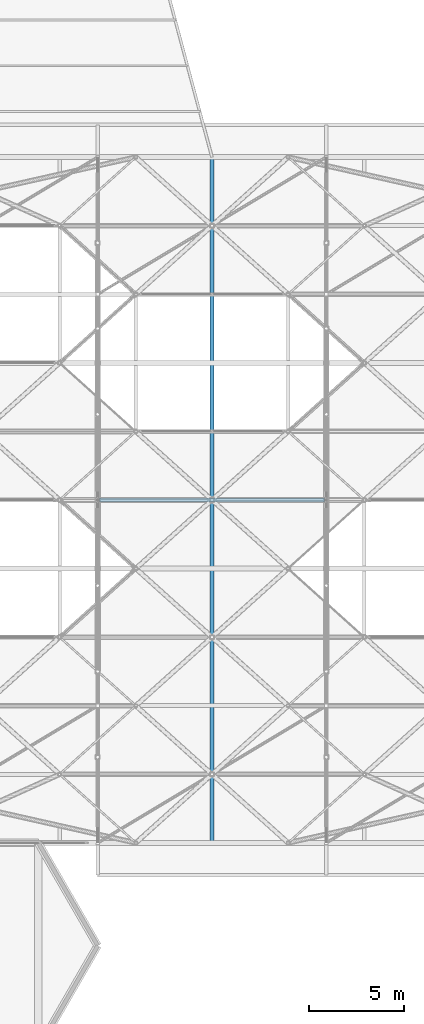
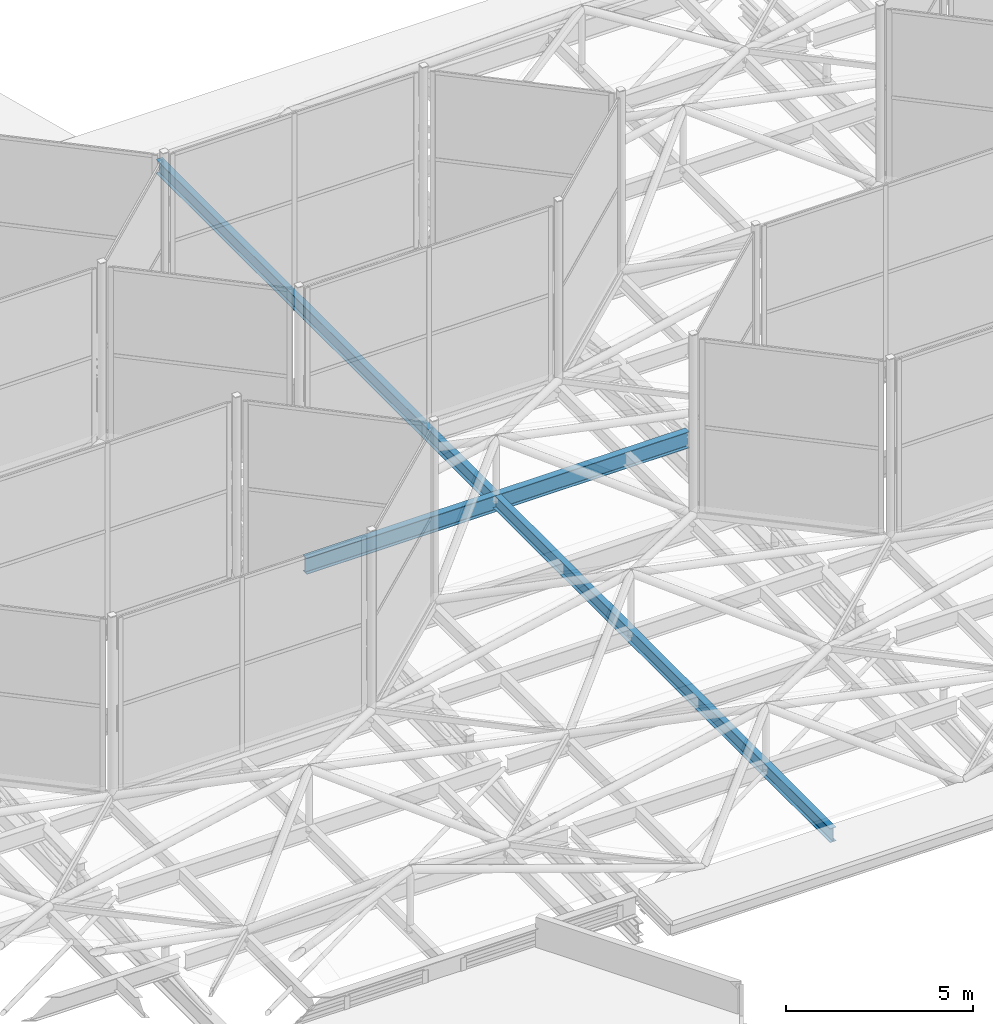
# One storey, part 83 of 239: 2 beams.
"""IFC4 building model written with IfcOpenShell, lengths in metres."""

from ifc_helpers import new_model, si_unit, direction, frame, origin, origin_2d, place, context, subcontext, project, spatial, i_section, extrude, material, material_profile, profile_set, type_object, element, save


model = new_model("IFC4")

# Units and contexts
model_context = context("Model", 3, precision=1e-05, world=origin(), true_north=direction((0.0, 1.0)))
body_context = subcontext(model_context, "Body", "Model", "MODEL_VIEW")
ifc_project = project(units=[si_unit("LENGTHUNIT", "METRE"), si_unit("AREAUNIT", "SQUARE_METRE"), si_unit("VOLUMEUNIT", "CUBIC_METRE"), si_unit("PLANEANGLEUNIT", "RADIAN"), si_unit("MASSUNIT", "GRAM", prefix="KILO")], contexts=[model_context])

# Site, building, storey
site_placement = place(None, origin())
site = spatial("IfcSite", under=ifc_project, at=site_placement, CompositionType="ELEMENT")
building_placement = place(site_placement, origin())
building = spatial("IfcBuilding", under=site, at=building_placement, Name="Dunvalen Ferry Terminal", CompositionType="ELEMENT")
storey_placement = place(building_placement, frame((0.0, 0.0, 9.840087890625)))
storey = spatial("IfcBuildingStorey", under=building, at=storey_placement, Name="L02", CompositionType="ELEMENT", Elevation=9.840087890625)

# Beams
ifc_material = material(Name="Steel S355", Category="steel")
ifc_material_profile_1 = material_profile(ifc_material, i_section(OverallWidth=0.1904296875, OverallDepth=0.45703125, WebThickness=0.009033203125, FlangeThickness=0.014404296875, FilletRadius=0.01025390625, at=origin_2d()), Name="Steel S355")
ifc_profile_set_1 = profile_set([ifc_material_profile_1], Name="Steel S355")
beam_type_1 = type_object("IfcBeamType", Name="STR-BM-UKB457", PredefinedType="BEAM", material=ifc_profile_set_1)
beam_1_placement = place(storey_placement, frame((42.0, 50.39990234375, 0.771484375), z_axis=(0.0, 1.0, 0.0), x_axis=(-1.0, 0.0, 0.0)))
element("IfcBeam", 1, at=beam_1_placement, inside=storey, type_object=beam_type_1, Name="Departure Hall Hex-Grid Cross Beam B3.2", PredefinedType="BEAM", context=body_context, shape_type="SweptSolid", body=[
    extrude(i_section(OverallWidth=0.1904296875, OverallDepth=0.45703125, WebThickness=0.009033203125, FlangeThickness=0.014404296875, FilletRadius=0.01025390625, at=origin_2d()), origin(), (0.0, 0.0, 1.0), 36.0),
])
ifc_material_profile_2 = material_profile(ifc_material, i_section(OverallWidth=0.209228515625, OverallDepth=0.533203125, WebThickness=0.010009765625, FlangeThickness=0.015625, FilletRadius=0.0126953125, at=origin_2d()), Name="Steel S355")
ifc_profile_set_2 = profile_set([ifc_material_profile_2], Name="Steel S355")
beam_type_2 = type_object("IfcBeamType", Name="STR-BM-UKB533", PredefinedType="BEAM", material=ifc_profile_set_2)
beam_2_placement = place(storey_placement, frame((36.10009765625, 68.39990234375, 0.7333984375), z_axis=(1.0, 0.0, 0.0), x_axis=(0.0, 1.0, 0.0)))
element("IfcBeam", 2, at=beam_2_placement, inside=storey, type_object=beam_type_2, Name="Departure Hall Spine Girder B3.06", PredefinedType="BEAM", context=body_context, shape_type="SweptSolid", body=[
    extrude(i_section(OverallWidth=0.209228515625, OverallDepth=0.533203125, WebThickness=0.010009765625, FlangeThickness=0.015625, FilletRadius=0.0126953125, at=origin_2d()), origin(), (0.0, 0.0, 1.0), 11.7998046875),
])

save(model, "model.ifc")
